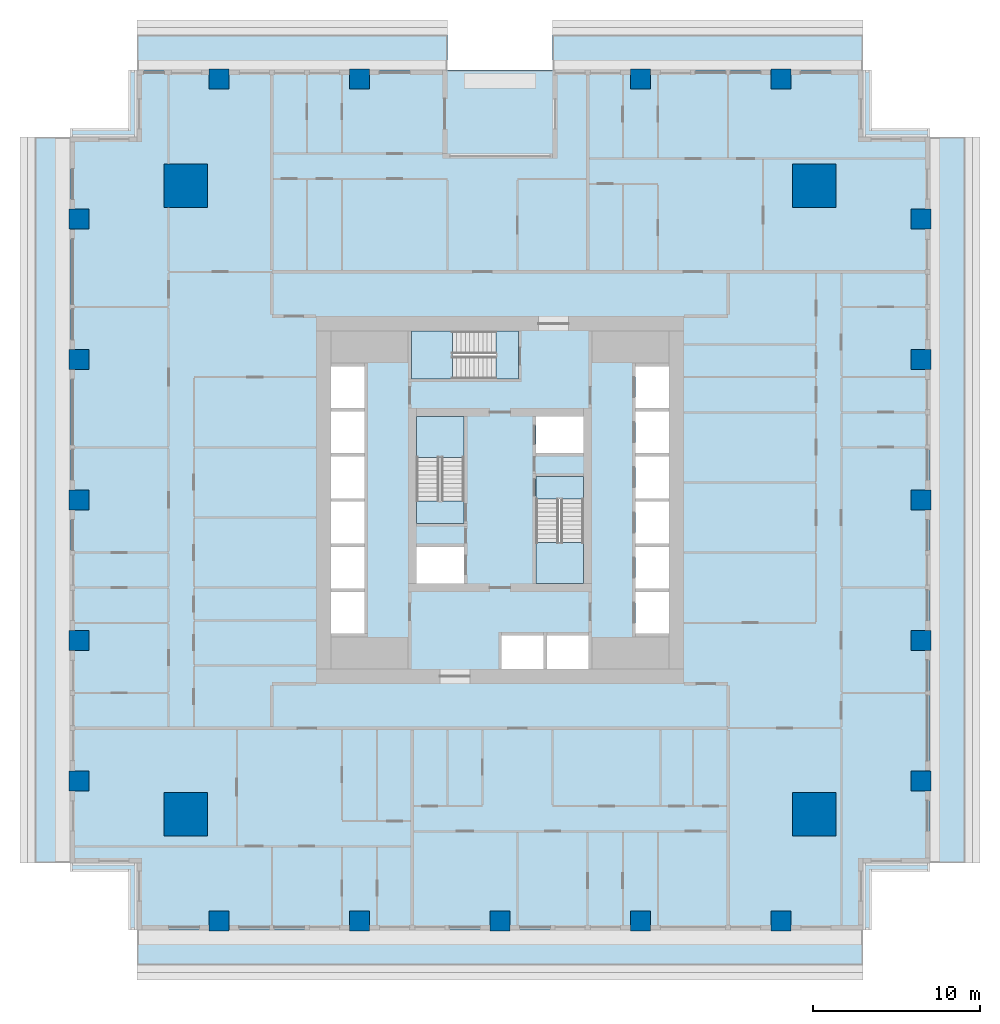
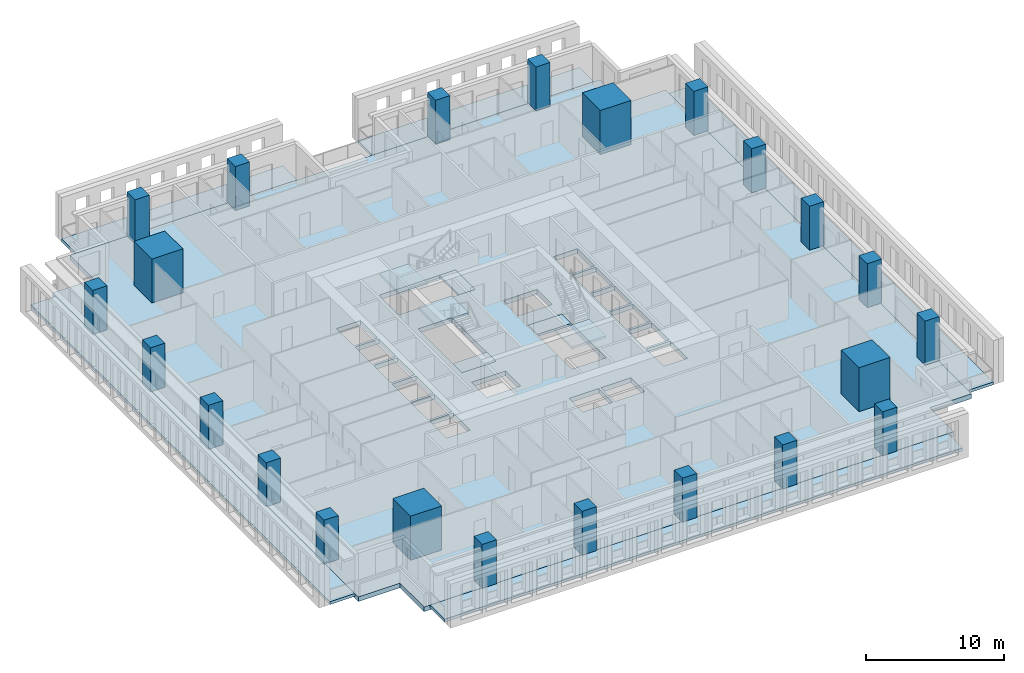
# One storey, part 1 of 16: 23 columns, 12 slabs, 3 elements without a shape of their own.
"""IFC4 building model written with IfcOpenShell, lengths in metres."""

from ifc_helpers import new_model, si_unit, direction, frame, origin, origin_2d, place, context, subcontext, project, spatial, polyline, rectangle, outline, extrude, material, layer, layer_set, material_profile, profile_set, type_object, element, aggregate, save


model = new_model("IFC4")

# Units and contexts
model_context = context("Model", 3, precision=1e-05, world=origin(), true_north=direction((0.0, 1.0)))
body_context = subcontext(model_context, "Body", "Model", "MODEL_VIEW")
ifc_project = project(units=[si_unit("LENGTHUNIT", "METRE"), si_unit("AREAUNIT", "SQUARE_METRE"), si_unit("VOLUMEUNIT", "CUBIC_METRE"), si_unit("PLANEANGLEUNIT", "RADIAN"), si_unit("MASSUNIT", "GRAM", prefix="KILO")], contexts=[model_context])

# Site, building, storey
site_placement = place(None, origin())
site = spatial("IfcSite", under=ifc_project, at=site_placement, CompositionType="ELEMENT")
building_placement = place(site_placement, origin())
building = spatial("IfcBuilding", under=site, at=building_placement, Name="Khepri Terraces", CompositionType="ELEMENT")
storey_placement = place(building_placement, frame((0.0, 0.0, 133.800048828125)))
storey = spatial("IfcBuildingStorey", under=building, at=storey_placement, Name="L31", CompositionType="ELEMENT", Elevation=133.800048828125)

# Columns
ifc_material_1 = material(Name="Concrete C60/75", Category="concrete")
ifc_material_profile_1 = material_profile(ifc_material_1, rectangle(XDim=2.60009765625, YDim=2.60009765625, at=origin_2d()), Name="Concrete C60/75", Category="concrete")
ifc_profile_set_1 = profile_set([ifc_material_profile_1], Name="Concrete C60/75")
column_type_1 = type_object("IfcColumnType", Name="Mega column RC 2600x2600 C60/75", PredefinedType="COLUMN", material=ifc_profile_set_1)
for number, where, z_axis, x_axis, name in (
    (1, (18.800048828125, 18.800048828125, 0.0), (0.0, 0.0, 1.0), (1.0, 0.0, 0.0), "Mega column MEN L31"),
    (2, (18.800048828125, -18.800048828125, 0.0), (0.0, 0.0, 1.0), (1.0, 0.0, 0.0), "Mega column MES L31"),
    (3, (-18.800048828125, 18.800048828125, 0.0), (0.0, 0.0, 1.0), (1.0, 0.0, 0.0), "Mega column MWN L31"),
    (4, (-18.800048828125, -18.800048828125, 0.0), (0.0, 0.0, 1.0), (1.0, 0.0, 0.0), "Mega column MWS L31"),
):
    element("IfcColumn", number, at=place(storey_placement, frame(where, z_axis=z_axis, x_axis=x_axis)), inside=storey, type_object=column_type_1, Name=name, PredefinedType="COLUMN", context=body_context, shape_type="SweptSolid", body=[
        extrude(rectangle(XDim=2.60009765625, YDim=2.60009765625, at=origin_2d()), origin(), (0.0, 0.0, 1.0), 3.89990234375),
    ])
ifc_material_profile_2 = material_profile(ifc_material_1, rectangle(XDim=1.199951171875, YDim=1.199951171875, at=origin_2d()), Name="Concrete C60/75", Category="concrete")
ifc_profile_set_2 = profile_set([ifc_material_profile_2], Name="Concrete C60/75")
column_type_2 = type_object("IfcColumnType", Name="Tower column RC 1200x1200 C60/75", PredefinedType="COLUMN", material=ifc_profile_set_2)
for number, where, z_axis, x_axis, name in (
    (5, (25.199951171875, 0.0, 0.0), (0.0, 0.0, 1.0), (1.0, 0.0, 0.0), "Perimeter column PE+000a L31"),
    (6, (25.199951171875, 8.39990234375, 0.0), (0.0, 0.0, 1.0), (1.0, 0.0, 0.0), "Perimeter column PE+084a L31"),
    (7, (25.199951171875, 16.800048828125, 0.0), (0.0, 0.0, 1.0), (1.0, 0.0, 0.0), "Perimeter column PE+168a L31"),
    (8, (25.199951171875, -8.39990234375, 0.0), (0.0, 0.0, 1.0), (1.0, 0.0, 0.0), "Perimeter column PE-084a L31"),
    (9, (25.199951171875, -16.800048828125, 0.0), (0.0, 0.0, 1.0), (1.0, 0.0, 0.0), "Perimeter column PE-168a L31"),
    (10, (-8.39990234375, 25.199951171875, 0.0), (0.0, 0.0, 1.0), (1.0, 0.0, 0.0), "Perimeter column PN+084a L31"),
    (11, (-16.800048828125, 25.199951171875, 0.0), (0.0, 0.0, 1.0), (1.0, 0.0, 0.0), "Perimeter column PN+168a L31"),
    (12, (8.39990234375, 25.199951171875, 0.0), (0.0, 0.0, 1.0), (1.0, 0.0, 0.0), "Perimeter column PN-084a L31"),
    (13, (16.800048828125, 25.199951171875, 0.0), (0.0, 0.0, 1.0), (1.0, 0.0, 0.0), "Perimeter column PN-168a L31"),
    (14, (0.0, -25.199951171875, 0.0), (0.0, 0.0, 1.0), (1.0, 0.0, 0.0), "Perimeter column PS+000b L31"),
    (15, (8.39990234375, -25.199951171875, 0.0), (0.0, 0.0, 1.0), (1.0, 0.0, 0.0), "Perimeter column PS+084b L31"),
    (16, (16.800048828125, -25.199951171875, 0.0), (0.0, 0.0, 1.0), (1.0, 0.0, 0.0), "Perimeter column PS+168a L31"),
    (17, (-8.39990234375, -25.199951171875, 0.0), (0.0, 0.0, 1.0), (1.0, 0.0, 0.0), "Perimeter column PS-084b L31"),
    (18, (-16.800048828125, -25.199951171875, 0.0), (0.0, 0.0, 1.0), (1.0, 0.0, 0.0), "Perimeter column PS-168a L31"),
):
    element("IfcColumn", number, at=place(storey_placement, frame(where, z_axis=z_axis, x_axis=x_axis)), inside=storey, type_object=column_type_2, Name=name, PredefinedType="COLUMN", context=body_context, shape_type="SweptSolid", body=[
        extrude(rectangle(XDim=1.199951171875, YDim=1.199951171875, at=origin_2d()), origin(), (0.0, 0.0, 1.0), 3.89990234375),
    ])
for number, where, z_axis, x_axis, name in (
    (19, (-25.199951171875, 0.0, -0.420166015625), (0.0, 0.0, 1.0), (1.0, 0.0, 0.0), "Perimeter column PW+000b L31"),
    (20, (-25.199951171875, -8.39990234375, -0.420166015625), (0.0, 0.0, 1.0), (1.0, 0.0, 0.0), "Perimeter column PW+084b L31"),
):
    element("IfcColumn", number, at=place(storey_placement, frame(where, z_axis=z_axis, x_axis=x_axis)), inside=storey, type_object=column_type_2, Name=name, PredefinedType="COLUMN", context=body_context, shape_type="SweptSolid", body=[
        extrude(rectangle(XDim=1.199951171875, YDim=1.199951171875, at=origin_2d()), origin(), (0.0, 0.0, 1.0), 4.320068359375),
    ])
column_1_placement = place(storey_placement, frame((-25.199951171875, -16.800048828125, 0.0), z_axis=(0.0, 0.0, 1.0), x_axis=(1.0, 0.0, 0.0)))
element("IfcColumn", 21, at=column_1_placement, inside=storey, type_object=column_type_2, Name="Perimeter column PW+168a L31", PredefinedType="COLUMN", context=body_context, shape_type="SweptSolid", body=[
    extrude(rectangle(XDim=1.199951171875, YDim=1.199951171875, at=origin_2d()), origin(), (0.0, 0.0, 1.0), 3.89990234375),
])
column_2_placement = place(storey_placement, frame((-25.199951171875, 8.39990234375, -0.420166015625), z_axis=(0.0, 0.0, 1.0), x_axis=(1.0, 0.0, 0.0)))
element("IfcColumn", 22, at=column_2_placement, inside=storey, type_object=column_type_2, Name="Perimeter column PW-084b L31", PredefinedType="COLUMN", context=body_context, shape_type="SweptSolid", body=[
    extrude(rectangle(XDim=1.199951171875, YDim=1.199951171875, at=origin_2d()), origin(), (0.0, 0.0, 1.0), 4.320068359375),
])
column_3_placement = place(storey_placement, frame((-25.199951171875, 16.800048828125, 0.0), z_axis=(0.0, 0.0, 1.0), x_axis=(1.0, 0.0, 0.0)))
element("IfcColumn", 23, at=column_3_placement, inside=storey, type_object=column_type_2, Name="Perimeter column PW-168a L31", PredefinedType="COLUMN", context=body_context, shape_type="SweptSolid", body=[
    extrude(rectangle(XDim=1.199951171875, YDim=1.199951171875, at=origin_2d()), origin(), (0.0, 0.0, 1.0), 3.89990234375),
])

# Slabs
ifc_material_2 = material(Name="Concrete C40/50", Category="concrete")
ifc_layer_1 = layer(ifc_material_2, 0.419921875, Name="Concrete C40/50", Category="concrete")
ifc_layer_set_1 = layer_set([ifc_layer_1], Name="Concrete C40/50")
slab_type_1 = type_object("IfcSlabType", Name="Flat plate 420", PredefinedType="FLOOR", material=ifc_layer_set_1)
slab_1_placement = place(storey_placement, frame((0.0, 0.0, -0.420166015625)))
element("IfcSlab", 24, at=slab_1_placement, inside=storey, type_object=slab_type_1, Name="Floor slab F01 L31", PredefinedType="FLOOR", context=body_context, shape_type="SweptSolid", body=[
    extrude(outline(polyline([(-22.219970703125, -25.719970703125), (-22.219970703125, -22.219970703125), (-25.719970703125, -22.219970703125), (-25.719970703125, -21.719970703125), (-25.719970703125, 21.719970703125), (-25.719970703125, 22.219970703125), (-22.219970703125, 22.219970703125), (-22.219970703125, 25.719970703125), (-21.719970703125, 25.719970703125), (-3.14990234375, 25.719970703125), (3.14990234375, 25.719970703125), (21.719970703125, 25.719970703125), (22.219970703125, 25.719970703125), (22.219970703125, 22.219970703125), (25.719970703125, 22.219970703125), (25.719970703125, 21.719970703125), (25.719970703125, -21.719970703125), (25.719970703125, -22.219970703125), (22.219970703125, -22.219970703125), (22.219970703125, -25.719970703125), (21.719970703125, -25.719970703125), (-21.719970703125, -25.719970703125), (-22.219970703125, -25.719970703125)]), holes=[polyline([(2.14990234375, 2.800048828125), (5.0, 2.800048828125), (5.0, 5.0), (2.14990234375, 5.0), (2.14990234375, 2.800048828125)]), polyline([(-5.0, -2.800048828125), (-5.0, -5.0), (-2.14990234375, -5.0), (-2.14990234375, -2.800048828125), (-5.0, -2.800048828125)]), polyline([(-8.10009765625, -5.5), (-10.10009765625, -5.5), (-10.10009765625, -8.0), (-8.10009765625, -8.0), (-8.10009765625, -5.5)]), polyline([(10.10009765625, -8.0), (10.10009765625, -5.5), (8.10009765625, -5.5), (8.10009765625, -8.0), (10.10009765625, -8.0)]), polyline([(-10.10009765625, -5.300048828125), (-8.10009765625, -5.300048828125), (-8.10009765625, -2.800048828125), (-10.10009765625, -2.800048828125), (-10.10009765625, -5.300048828125)]), polyline([(8.10009765625, -2.800048828125), (8.10009765625, -5.300048828125), (10.10009765625, -5.300048828125), (10.10009765625, -2.800048828125), (8.10009765625, -2.800048828125)]), polyline([(-8.10009765625, -0.10009765625), (-10.10009765625, -0.10009765625), (-10.10009765625, -2.60009765625), (-8.10009765625, -2.60009765625), (-8.10009765625, -0.10009765625)]), polyline([(10.10009765625, -2.60009765625), (10.10009765625, -0.10009765625), (8.10009765625, -0.10009765625), (8.10009765625, -2.60009765625), (10.10009765625, -2.60009765625)]), polyline([(-10.10009765625, 0.10009765625), (-8.10009765625, 0.10009765625), (-8.10009765625, 2.60009765625), (-10.10009765625, 2.60009765625), (-10.10009765625, 0.10009765625)]), polyline([(8.10009765625, 2.60009765625), (8.10009765625, 0.10009765625), (10.10009765625, 0.10009765625), (10.10009765625, 2.60009765625), (8.10009765625, 2.60009765625)]), polyline([(-8.10009765625, 5.300048828125), (-10.10009765625, 5.300048828125), (-10.10009765625, 2.800048828125), (-8.10009765625, 2.800048828125), (-8.10009765625, 5.300048828125)]), polyline([(10.10009765625, 2.800048828125), (10.10009765625, 5.300048828125), (8.10009765625, 5.300048828125), (8.10009765625, 2.800048828125), (10.10009765625, 2.800048828125)]), polyline([(-10.10009765625, 5.5), (-8.10009765625, 5.5), (-8.10009765625, 8.0), (-10.10009765625, 8.0), (-10.10009765625, 5.5)]), polyline([(8.10009765625, 8.0), (8.10009765625, 5.5), (10.10009765625, 5.5), (10.10009765625, 8.0), (8.10009765625, 8.0)]), polyline([(2.60009765625, -8.10009765625), (0.10009765625, -8.10009765625), (0.10009765625, -10.10009765625), (2.60009765625, -10.10009765625), (2.60009765625, -8.10009765625)]), polyline([(5.300048828125, -10.10009765625), (5.300048828125, -8.10009765625), (2.800048828125, -8.10009765625), (2.800048828125, -10.10009765625), (5.300048828125, -10.10009765625)]), polyline([(-5.0, -1.39990234375), (-2.14990234375, -1.39990234375), (-2.14990234375, 5.0), (-5.0, 5.0), (-5.0, -1.39990234375)]), polyline([(5.0, -5.0), (5.0, 1.39990234375), (2.14990234375, 1.39990234375), (2.14990234375, -5.0), (5.0, -5.0)]), polyline([(-5.300048828125, 10.10009765625), (-5.300048828125, 7.25), (1.10009765625, 7.25), (1.10009765625, 10.10009765625), (-5.300048828125, 10.10009765625)])]), origin(), (0.0, 0.0, 1.0), 0.420166015625),
])
ifc_material_3 = material(Name="Precast concrete C50/60 warm stone", Category="masonry")
ifc_layer_2 = layer(ifc_material_3, 0.25, Name="Precast concrete C50/60 warm stone", Category="masonry")
ifc_layer_set_2 = layer_set([ifc_layer_2], Name="Precast concrete C50/60 warm stone")
slab_type_2 = type_object("IfcSlabType", Name="SLB-BALCONY-250", PredefinedType="FLOOR", material=ifc_layer_set_2)
slab_2_placement = place(storey_placement, frame((0.0, 0.0, -0.25)))
element("IfcSlab", 25, at=slab_2_placement, inside=storey, type_object=slab_type_2, Name="Balcony slab L31 S", PredefinedType="FLOOR", context=body_context, shape_type="SweptSolid", body=[
    extrude(outline(polyline([(-17.39990234375, -25.719970703125), (-21.719970703125, -25.719970703125), (-21.719970703125, -27.820068359375), (21.719970703125, -27.820068359375), (21.719970703125, -25.719970703125), (17.39990234375, -25.719970703125), (17.39990234375, -25.800048828125), (16.199951171875, -25.800048828125), (16.199951171875, -25.719970703125), (9.0, -25.719970703125), (9.0, -25.800048828125), (7.800048828125, -25.800048828125), (7.800048828125, -25.719970703125), (0.60009765625, -25.719970703125), (0.60009765625, -25.800048828125), (-0.60009765625, -25.800048828125), (-0.60009765625, -25.719970703125), (-7.800048828125, -25.719970703125), (-7.800048828125, -25.800048828125), (-9.0, -25.800048828125), (-9.0, -25.719970703125), (-16.199951171875, -25.719970703125), (-16.199951171875, -25.800048828125), (-17.39990234375, -25.800048828125), (-17.39990234375, -25.719970703125)])), origin(), (0.0, 0.0, 1.0), 0.25),
])
slab_3_placement = place(storey_placement, frame((0.0, 0.0, -0.25)))
element("IfcSlab", 26, at=slab_3_placement, inside=storey, type_object=slab_type_2, Name="Balcony slab L31 E", PredefinedType="FLOOR", context=body_context, shape_type="SweptSolid", body=[
    extrude(outline(polyline([(25.719970703125, -17.39990234375), (25.719970703125, -21.719970703125), (27.820068359375, -21.719970703125), (27.820068359375, 21.719970703125), (25.719970703125, 21.719970703125), (25.719970703125, 17.39990234375), (25.800048828125, 17.39990234375), (25.800048828125, 16.199951171875), (25.719970703125, 16.199951171875), (25.719970703125, 9.0), (25.800048828125, 9.0), (25.800048828125, 7.800048828125), (25.719970703125, 7.800048828125), (25.719970703125, 0.60009765625), (25.800048828125, 0.60009765625), (25.800048828125, -0.60009765625), (25.719970703125, -0.60009765625), (25.719970703125, -7.800048828125), (25.800048828125, -7.800048828125), (25.800048828125, -9.0), (25.719970703125, -9.0), (25.719970703125, -16.199951171875), (25.800048828125, -16.199951171875), (25.800048828125, -17.39990234375), (25.719970703125, -17.39990234375)])), origin(), (0.0, 0.0, 1.0), 0.25),
])
slab_4_placement = place(storey_placement, frame((0.0, 0.0, -0.25)))
element("IfcSlab", 27, at=slab_4_placement, inside=storey, type_object=slab_type_2, Name="Balcony slab L31 N", PredefinedType="FLOOR", context=body_context, shape_type="SweptSolid", body=[
    extrude(outline(polyline([(17.39990234375, 25.719970703125), (21.719970703125, 25.719970703125), (21.719970703125, 27.820068359375), (3.14990234375, 27.820068359375), (3.14990234375, 25.719970703125), (7.800048828125, 25.719970703125), (7.800048828125, 25.800048828125), (9.0, 25.800048828125), (9.0, 25.719970703125), (16.199951171875, 25.719970703125), (16.199951171875, 25.800048828125), (17.39990234375, 25.800048828125), (17.39990234375, 25.719970703125)])), origin(), (0.0, 0.0, 1.0), 0.25),
])
slab_5_placement = place(storey_placement, frame((0.0, 0.0, -0.25)))
element("IfcSlab", 28, at=slab_5_placement, inside=storey, type_object=slab_type_2, Name="Balcony slab L31 N", PredefinedType="FLOOR", context=body_context, shape_type="SweptSolid", body=[
    extrude(outline(polyline([(-7.800048828125, 25.719970703125), (-3.14990234375, 25.719970703125), (-3.14990234375, 27.820068359375), (-21.719970703125, 27.820068359375), (-21.719970703125, 25.719970703125), (-17.39990234375, 25.719970703125), (-17.39990234375, 25.800048828125), (-16.199951171875, 25.800048828125), (-16.199951171875, 25.719970703125), (-9.0, 25.719970703125), (-9.0, 25.800048828125), (-7.800048828125, 25.800048828125), (-7.800048828125, 25.719970703125)])), origin(), (0.0, 0.0, 1.0), 0.25),
])
slab_6_placement = place(storey_placement, frame((0.0, 0.0, -0.25)))
element("IfcSlab", 29, at=slab_6_placement, inside=storey, type_object=slab_type_2, Name="Balcony slab L31 W", PredefinedType="FLOOR", context=body_context, shape_type="SweptSolid", body=[
    extrude(outline(polyline([(-25.719970703125, 17.39990234375), (-25.719970703125, 21.719970703125), (-27.820068359375, 21.719970703125), (-27.820068359375, -21.719970703125), (-25.719970703125, -21.719970703125), (-25.719970703125, -17.39990234375), (-25.800048828125, -17.39990234375), (-25.800048828125, -16.199951171875), (-25.719970703125, -16.199951171875), (-25.719970703125, -9.0), (-25.800048828125, -9.0), (-25.800048828125, -7.800048828125), (-25.719970703125, -7.800048828125), (-25.719970703125, -0.60009765625), (-25.800048828125, -0.60009765625), (-25.800048828125, 0.60009765625), (-25.719970703125, 0.60009765625), (-25.719970703125, 7.800048828125), (-25.800048828125, 7.800048828125), (-25.800048828125, 9.0), (-25.719970703125, 9.0), (-25.719970703125, 16.199951171875), (-25.800048828125, 16.199951171875), (-25.800048828125, 17.39990234375), (-25.719970703125, 17.39990234375)])), origin(), (0.0, 0.0, 1.0), 0.25),
])

# Stair, slabs
stair_type = type_object("IfcStairType", Name="STAIR-RC-22R", PredefinedType="HALF_TURN_STAIR", material=ifc_material_2)
stair_1_placement = place(storey_placement, origin())
stair_1 = element("IfcStair", 30, at=stair_1_placement, inside=storey, type_object=stair_type, Name="L31 Exit Stair ST-1", PredefinedType="HALF_TURN_STAIR")
ifc_layer_3 = layer(ifc_material_2, 0.199951171875, Name="Concrete C40/50", Category="concrete")
ifc_layer_set_3 = layer_set([ifc_layer_3], Name="Concrete C40/50")
slab_type_3 = type_object("IfcSlabType", Name="SLB-CORE-LANDING", PredefinedType="LANDING", material=ifc_layer_set_3)
slab_7_placement = place(storey_placement, frame((0.0, 0.0, -0.199951171875)))
slab_7 = element("IfcSlab", 31, at=slab_7_placement, type_object=slab_type_3, Name="ST-1 landing 1", PredefinedType="LANDING", context=body_context, shape_type="SweptSolid", body=[
    extrude(outline(polyline([(-2.14990234375, -1.39990234375), (-2.14990234375, -0.050048828125), (-5.0, -0.050048828125), (-5.0, -1.39990234375), (-2.14990234375, -1.39990234375)])), origin(), (0.0, 0.0, 1.0), 0.199951171875),
])
slab_8_placement = place(storey_placement, frame((0.0, 0.0, 1.75)))
slab_8 = element("IfcSlab", 32, at=slab_8_placement, type_object=slab_type_3, Name="ST-1 landing 2", PredefinedType="LANDING", context=body_context, shape_type="SweptSolid", body=[
    extrude(outline(polyline([(-2.14990234375, 2.550048828125), (-2.14990234375, 5.0), (-5.0, 5.0), (-5.0, 2.550048828125), (-2.14990234375, 2.550048828125)])), origin(), (0.0, 0.0, 1.0), 0.199951171875),
])
aggregate(stair_1, [slab_7, slab_8])

stair_2_placement = place(storey_placement, origin())
stair_2 = element("IfcStair", 33, at=stair_2_placement, inside=storey, type_object=stair_type, Name="L31 Exit Stair ST-2", PredefinedType="HALF_TURN_STAIR")
slab_9_placement = place(storey_placement, frame((0.0, 0.0, -0.199951171875)))
slab_9 = element("IfcSlab", 34, at=slab_9_placement, type_object=slab_type_3, Name="ST-2 landing 1", PredefinedType="LANDING", context=body_context, shape_type="SweptSolid", body=[
    extrude(outline(polyline([(2.14990234375, 1.39990234375), (2.14990234375, 0.050048828125), (5.0, 0.050048828125), (5.0, 1.39990234375), (2.14990234375, 1.39990234375)])), origin(), (0.0, 0.0, 1.0), 0.199951171875),
])
slab_10_placement = place(storey_placement, frame((0.0, 0.0, 1.75)))
slab_10 = element("IfcSlab", 35, at=slab_10_placement, type_object=slab_type_3, Name="ST-2 landing 2", PredefinedType="LANDING", context=body_context, shape_type="SweptSolid", body=[
    extrude(outline(polyline([(2.14990234375, -2.550048828125), (2.14990234375, -5.0), (5.0, -5.0), (5.0, -2.550048828125), (2.14990234375, -2.550048828125)])), origin(), (0.0, 0.0, 1.0), 0.199951171875),
])
aggregate(stair_2, [slab_9, slab_10])

stair_3_placement = place(storey_placement, origin())
stair_3 = element("IfcStair", 36, at=stair_3_placement, inside=storey, type_object=stair_type, Name="L31 Exit Stair ST-3", PredefinedType="HALF_TURN_STAIR")
slab_11_placement = place(storey_placement, frame((0.0, 0.0, -0.199951171875)))
slab_11 = element("IfcSlab", 37, at=slab_11_placement, type_object=slab_type_3, Name="ST-3 landing 1", PredefinedType="LANDING", context=body_context, shape_type="SweptSolid", body=[
    extrude(outline(polyline([(1.10009765625, 10.10009765625), (-0.25, 10.10009765625), (-0.25, 7.25), (1.10009765625, 7.25), (1.10009765625, 10.10009765625)])), origin(), (0.0, 0.0, 1.0), 0.199951171875),
])
slab_12_placement = place(storey_placement, frame((0.0, 0.0, 1.75)))
slab_12 = element("IfcSlab", 38, at=slab_12_placement, type_object=slab_type_3, Name="ST-3 landing 2", PredefinedType="LANDING", context=body_context, shape_type="SweptSolid", body=[
    extrude(outline(polyline([(-2.85009765625, 10.10009765625), (-5.300048828125, 10.10009765625), (-5.300048828125, 7.25), (-2.85009765625, 7.25), (-2.85009765625, 10.10009765625)])), origin(), (0.0, 0.0, 1.0), 0.199951171875),
])
aggregate(stair_3, [slab_11, slab_12])

save(model, "model.ifc")
